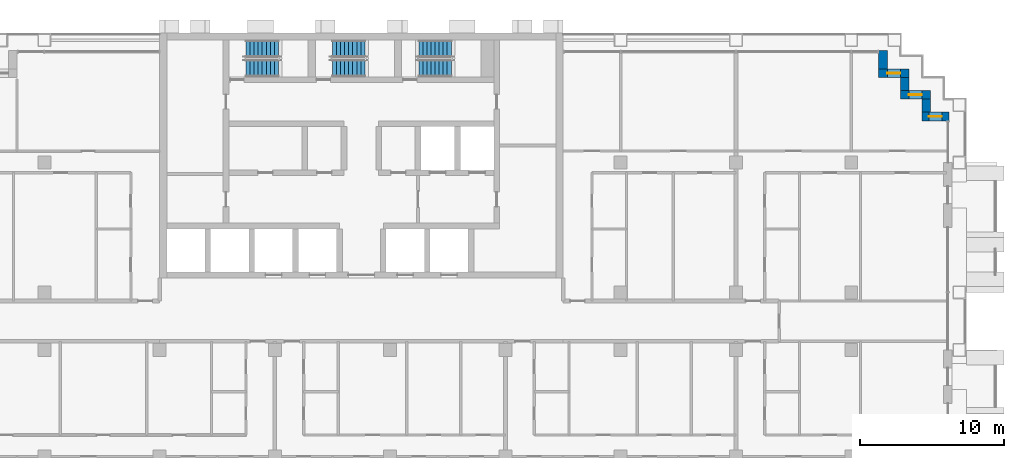
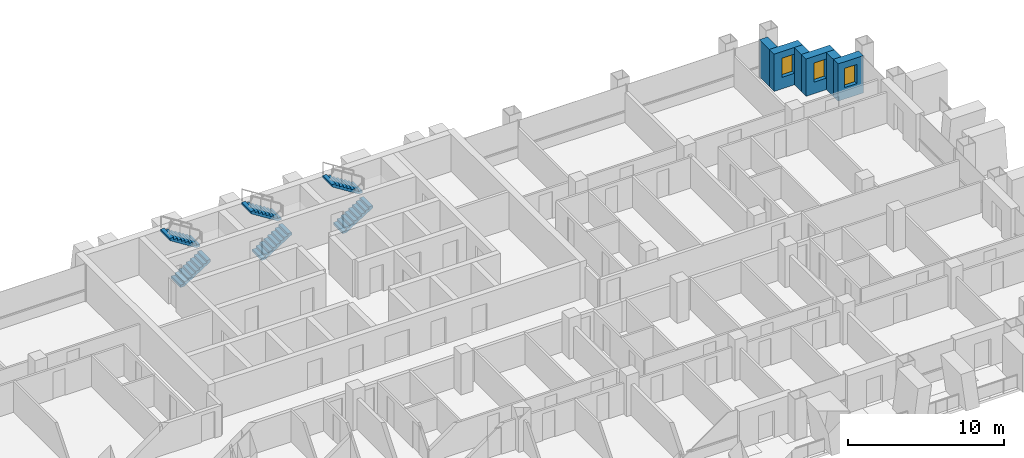
# One storey, part 13 of 17: 6 stair flights, 6 walls, 3 windows, 3 openings, 3 elements without a shape of their own.
"""IFC4 building model written with IfcOpenShell, lengths in metres."""

from ifc_helpers import new_model, si_unit, direction, frame, frame_2d, origin, place, context, subcontext, project, spatial, polyline, rectangle, outline, extrude, material, layer, layer_set, type_object, element, fill, aggregate, save


model = new_model("IFC4")

# Units and contexts
model_context = context("Model", 3, precision=1e-05, world=origin(), true_north=direction((0.0, 1.0)))
body_context = subcontext(model_context, "Body", "Model", "MODEL_VIEW")
ifc_project = project(units=[si_unit("LENGTHUNIT", "METRE"), si_unit("AREAUNIT", "SQUARE_METRE"), si_unit("VOLUMEUNIT", "CUBIC_METRE"), si_unit("PLANEANGLEUNIT", "RADIAN"), si_unit("MASSUNIT", "GRAM", prefix="KILO")], contexts=[model_context])

# Site, building, storey
site_placement = place(None, origin())
site = spatial("IfcSite", under=ifc_project, at=site_placement, CompositionType="ELEMENT")
building_placement = place(site_placement, origin())
building = spatial("IfcBuilding", under=site, at=building_placement, Name="Vidyagriha Tower", CompositionType="ELEMENT")
storey_placement = place(building_placement, frame((0.0, 0.0, 77.5)))
storey = spatial("IfcBuildingStorey", under=building, at=storey_placement, Name="L19", CompositionType="ELEMENT", Elevation=77.5)

# Wall, opening, window
ifc_material_1 = material(Name="Precast concrete C40/50 with brick facing", Category="concrete")
ifc_layer = layer(ifc_material_1, 0.60009765625)
ifc_layer_set = layer_set([ifc_layer], Name="Precast concrete C40/50 with brick facing")
wall_type = type_object("IfcWallType", Name="Brick-faced precast wall 600", PredefinedType="STANDARD", material=ifc_layer_set)
wall_1_placement = place(storey_placement, frame((40.780029296875, 14.199951171875, 0.0), z_axis=(0.0, 0.0, 1.0), x_axis=(-1.0, 0.0, 0.0)))
wall_1 = element("IfcWall", 1, at=wall_1_placement, inside=storey, type_object=wall_type, Name="Stepped corner wall L19 R01", PredefinedType="STANDARD", context=body_context, shape_type="SweptSolid", body=[
    extrude(rectangle(XDim=1.880126953125, YDim=0.60009765625, at=frame_2d((0.93994140625, 0.0))), origin(), (0.0, 0.0, 1.0), 2.919921875),
])
opening_1_placement = place(wall_1_placement, frame((0.489990234375, 0.0, 0.89990234375)))
opening_1 = element("IfcOpeningElement", 2, at=opening_1_placement, cuts=wall_1, Name="Opening WN1", PredefinedType="OPENING", context=body_context, shape_type="SweptSolid", body=[
    extrude(rectangle(XDim=0.89990234375, YDim=1.5, at=frame_2d((0.449951171875, 0.75))), frame((0.0, 0.31005859375, 0.0), z_axis=(0.0, -1.0, 0.0), x_axis=(1.0, 0.0, 0.0)), (0.0, 0.0, 1.0), 0.6201171875),
])
ifc_material_2 = material(Name="Aluminium and glass window", Category="aluminium")
window_type = type_object("IfcWindowType", Name="Reveal window 900x1500", PartitioningType="NOTDEFINED", PredefinedType="WINDOW", material=ifc_material_2)
window_1_placement = place(opening_1_placement, origin())
window_1 = element("IfcWindow", 3, at=window_1_placement, inside=storey, type_object=window_type, Name="Reveal window L19 R01", OverallHeight=1.5, OverallWidth=0.89990234375, PartitioningType="SINGLE_PANEL", PredefinedType="WINDOW", context=body_context, shape_type="SweptSolid", body=[
    extrude(rectangle(XDim=0.89990234375, YDim=1.5, at=frame_2d((0.449951171875, 0.75))), frame((0.0, 0.030029296875, 0.0), z_axis=(0.0, -1.0, 0.0), x_axis=(1.0, 0.0, 0.0)), (0.0, 0.0, 1.0), 0.06005859375),
])
fill(opening_1, window_1)

# Wall
wall_2_placement = place(storey_placement, frame((39.199951171875, 14.5, 0.0), z_axis=(0.0, 0.0, 1.0), x_axis=(0.0, 1.0, 0.0)))
element("IfcWall", 4, at=wall_2_placement, inside=storey, type_object=wall_type, Name="Stepped corner wall L19 R02", PredefinedType="STANDARD", context=body_context, shape_type="SweptSolid", body=[
    extrude(rectangle(XDim=0.89990234375, YDim=0.60009765625, at=frame_2d((0.449951171875, 0.0))), origin(), (0.0, 0.0, 1.0), 2.919921875),
])

# Wall, opening, window
wall_3_placement = place(storey_placement, frame((39.5, 15.699951171875, 0.0), z_axis=(0.0, 0.0, 1.0), x_axis=(-1.0, 0.0, 0.0)))
wall_3 = element("IfcWall", 5, at=wall_3_placement, inside=storey, type_object=wall_type, Name="Stepped corner wall L19 R03", PredefinedType="STANDARD", context=body_context, shape_type="SweptSolid", body=[
    extrude(rectangle(XDim=2.10009765625, YDim=0.60009765625, at=frame_2d((1.050048828125, 0.0))), origin(), (0.0, 0.0, 1.0), 2.919921875),
])
opening_2_placement = place(wall_3_placement, frame((0.60009765625, 0.0, 0.89990234375)))
opening_2 = element("IfcOpeningElement", 6, at=opening_2_placement, cuts=wall_3, Name="Opening WN1", PredefinedType="OPENING", context=body_context, shape_type="SweptSolid", body=[
    extrude(rectangle(XDim=0.89990234375, YDim=1.5, at=frame_2d((0.449951171875, 0.75))), frame((0.0, 0.31005859375, 0.0), z_axis=(0.0, -1.0, 0.0), x_axis=(1.0, 0.0, 0.0)), (0.0, 0.0, 1.0), 0.6201171875),
])
window_2_placement = place(opening_2_placement, origin())
window_2 = element("IfcWindow", 7, at=window_2_placement, inside=storey, type_object=window_type, Name="Reveal window L19 R03", OverallHeight=1.5, OverallWidth=0.89990234375, PartitioningType="SINGLE_PANEL", PredefinedType="WINDOW", context=body_context, shape_type="SweptSolid", body=[
    extrude(rectangle(XDim=0.89990234375, YDim=1.5, at=frame_2d((0.449951171875, 0.75))), frame((0.0, 0.030029296875, 0.0), z_axis=(0.0, -1.0, 0.0), x_axis=(1.0, 0.0, 0.0)), (0.0, 0.0, 1.0), 0.06005859375),
])
fill(opening_2, window_2)

# Wall
wall_4_placement = place(storey_placement, frame((37.699951171875, 16.0, 0.0), z_axis=(0.0, 0.0, 1.0), x_axis=(0.0, 1.0, 0.0)))
element("IfcWall", 8, at=wall_4_placement, inside=storey, type_object=wall_type, Name="Stepped corner wall L19 R04", PredefinedType="STANDARD", context=body_context, shape_type="SweptSolid", body=[
    extrude(rectangle(XDim=0.89990234375, YDim=0.60009765625, at=frame_2d((0.449951171875, 0.0))), origin(), (0.0, 0.0, 1.0), 2.919921875),
])

# Wall, opening, window
wall_5_placement = place(storey_placement, frame((38.0, 17.199951171875, 0.0), z_axis=(0.0, 0.0, 1.0), x_axis=(-1.0, 0.0, 0.0)))
wall_5 = element("IfcWall", 9, at=wall_5_placement, inside=storey, type_object=wall_type, Name="Stepped corner wall L19 R05", PredefinedType="STANDARD", context=body_context, shape_type="SweptSolid", body=[
    extrude(rectangle(XDim=2.10009765625, YDim=0.60009765625, at=frame_2d((1.050048828125, 0.0))), origin(), (0.0, 0.0, 1.0), 2.919921875),
])
opening_3_placement = place(wall_5_placement, frame((0.60009765625, 0.0, 0.89990234375)))
opening_3 = element("IfcOpeningElement", 10, at=opening_3_placement, cuts=wall_5, Name="Opening WN1", PredefinedType="OPENING", context=body_context, shape_type="SweptSolid", body=[
    extrude(rectangle(XDim=0.89990234375, YDim=1.5, at=frame_2d((0.449951171875, 0.75))), frame((0.0, 0.31005859375, 0.0), z_axis=(0.0, -1.0, 0.0), x_axis=(1.0, 0.0, 0.0)), (0.0, 0.0, 1.0), 0.6201171875),
])
window_3_placement = place(opening_3_placement, origin())
window_3 = element("IfcWindow", 11, at=window_3_placement, inside=storey, type_object=window_type, Name="Reveal window L19 R05", OverallHeight=1.5, OverallWidth=0.89990234375, PartitioningType="SINGLE_PANEL", PredefinedType="WINDOW", context=body_context, shape_type="SweptSolid", body=[
    extrude(rectangle(XDim=0.89990234375, YDim=1.5, at=frame_2d((0.449951171875, 0.75))), frame((0.0, 0.030029296875, 0.0), z_axis=(0.0, -1.0, 0.0), x_axis=(1.0, 0.0, 0.0)), (0.0, 0.0, 1.0), 0.06005859375),
])
fill(opening_3, window_3)

# Wall
wall_6_placement = place(storey_placement, frame((36.199951171875, 17.5, 0.0), z_axis=(0.0, 0.0, 1.0), x_axis=(0.0, 1.0, 0.0)))
element("IfcWall", 12, at=wall_6_placement, inside=storey, type_object=wall_type, Name="Stepped corner wall L19 R06", PredefinedType="STANDARD", context=body_context, shape_type="SweptSolid", body=[
    extrude(rectangle(XDim=1.280029296875, YDim=0.60009765625, at=frame_2d((0.64013671875, 0.0))), origin(), (0.0, 0.0, 1.0), 2.919921875),
])

# Stair, stair flights
ifc_material_3 = material(Name="Concrete C40/50", Category="concrete")
stair_type = type_object("IfcStairType", Name="Exit stair, half-turn, precast flights", PredefinedType="HALF_TURN_STAIR", material=ifc_material_3)
stair_1_placement = place(storey_placement, origin())
stair_1 = element("IfcStair", 13, at=stair_1_placement, inside=storey, type_object=stair_type, Name="L19 Exit Stair ST1", PredefinedType="HALF_TURN_STAIR")
ifc_material_4 = material(Name="Precast concrete C40/50", Category="concrete")
stair_flight_type = type_object("IfcStairFlightType", Name="Exit stair flight 1200 mm, precast", PredefinedType="STRAIGHT", material=ifc_material_4)
stair_flight_1_placement = place(storey_placement, frame((-8.0, 17.550048828125, 0.0)))
stair_flight_1 = element("IfcStairFlight", 14, at=stair_flight_1_placement, type_object=stair_flight_type, Name="ST1 flight 1", NumberOfRisers=9, NumberOfTreads=8, PredefinedType="STRAIGHT", RiserHeight=0.177777778, TreadLength=0.28, context=body_context, shape_type="SweptSolid", body=[
    extrude(outline(polyline([(0.0, 0.0), (0.0, 0.177734375), (0.280029296875, 0.177734375), (0.280029296875, 0.35546875), (0.56005859375, 0.35546875), (0.56005859375, 0.533447265625), (0.840087890625, 0.533447265625), (0.840087890625, 0.711181640625), (1.1201171875, 0.711181640625), (1.1201171875, 0.888916015625), (1.39990234375, 0.888916015625), (1.39990234375, 1.066650390625), (1.679931640625, 1.066650390625), (1.679931640625, 1.244384765625), (1.9599609375, 1.244384765625), (1.9599609375, 1.422119140625), (2.239990234375, 1.422119140625), (2.239990234375, 1.60009765625), (2.239990234375, 1.24462890625), (0.27978515625, 0.0), (0.0, 0.0)])), frame((0.0, 0.60009765625, 0.0), z_axis=(0.0, -1.0, 0.0), x_axis=(1.0, 0.0, 0.0)), (0.0, 0.0, 1.0), 1.199951171875),
])
stair_flight_2_placement = place(storey_placement, frame((-5.760009765625, 18.89990234375, 1.60009765625), z_axis=(0.0, 0.0, 1.0), x_axis=(-1.0, 0.0, 0.0)))
stair_flight_2 = element("IfcStairFlight", 15, at=stair_flight_2_placement, type_object=stair_flight_type, Name="ST1 flight 2", NumberOfRisers=9, NumberOfTreads=8, PredefinedType="STRAIGHT", RiserHeight=0.177777778, TreadLength=0.28, context=body_context, shape_type="SweptSolid", body=[
    extrude(outline(polyline([(0.0, 0.0), (0.0, 0.177734375), (0.280029296875, 0.177734375), (0.280029296875, 0.35546875), (0.56005859375, 0.35546875), (0.56005859375, 0.533447265625), (0.840087890625, 0.533447265625), (0.840087890625, 0.711181640625), (1.1201171875, 0.711181640625), (1.1201171875, 0.888916015625), (1.39990234375, 0.888916015625), (1.39990234375, 1.066650390625), (1.679931640625, 1.066650390625), (1.679931640625, 1.244384765625), (1.9599609375, 1.244384765625), (1.9599609375, 1.422119140625), (2.239990234375, 1.422119140625), (2.239990234375, 1.60009765625), (2.239990234375, 1.24462890625), (0.27978515625, 0.0), (0.0, 0.0)])), frame((0.0, 0.60009765625, 0.0), z_axis=(0.0, -1.0, 0.0), x_axis=(1.0, 0.0, 0.0)), (0.0, 0.0, 1.0), 1.199951171875),
])
aggregate(stair_1, [stair_flight_1, stair_flight_2])

stair_2_placement = place(storey_placement, origin())
stair_2 = element("IfcStair", 16, at=stair_2_placement, inside=storey, type_object=stair_type, Name="L19 Exit Stair ST2", PredefinedType="HALF_TURN_STAIR")
stair_flight_3_placement = place(storey_placement, frame((-2.0, 17.550048828125, 0.0)))
stair_flight_3 = element("IfcStairFlight", 17, at=stair_flight_3_placement, type_object=stair_flight_type, Name="ST2 flight 1", NumberOfRisers=9, NumberOfTreads=8, PredefinedType="STRAIGHT", RiserHeight=0.177777778, TreadLength=0.28, context=body_context, shape_type="SweptSolid", body=[
    extrude(outline(polyline([(0.0, 0.0), (0.0, 0.177734375), (0.280029296875, 0.177734375), (0.280029296875, 0.35546875), (0.56005859375, 0.35546875), (0.56005859375, 0.533447265625), (0.840087890625, 0.533447265625), (0.840087890625, 0.711181640625), (1.1201171875, 0.711181640625), (1.1201171875, 0.888916015625), (1.39990234375, 0.888916015625), (1.39990234375, 1.066650390625), (1.679931640625, 1.066650390625), (1.679931640625, 1.244384765625), (1.9599609375, 1.244384765625), (1.9599609375, 1.422119140625), (2.239990234375, 1.422119140625), (2.239990234375, 1.60009765625), (2.239990234375, 1.24462890625), (0.27978515625, 0.0), (0.0, 0.0)])), frame((0.0, 0.60009765625, 0.0), z_axis=(0.0, -1.0, 0.0), x_axis=(1.0, 0.0, 0.0)), (0.0, 0.0, 1.0), 1.199951171875),
])
stair_flight_4_placement = place(storey_placement, frame((0.239990234375, 18.89990234375, 1.60009765625), z_axis=(0.0, 0.0, 1.0), x_axis=(-1.0, 0.0, 0.0)))
stair_flight_4 = element("IfcStairFlight", 18, at=stair_flight_4_placement, type_object=stair_flight_type, Name="ST2 flight 2", NumberOfRisers=9, NumberOfTreads=8, PredefinedType="STRAIGHT", RiserHeight=0.177777778, TreadLength=0.28, context=body_context, shape_type="SweptSolid", body=[
    extrude(outline(polyline([(0.0, 0.0), (0.0, 0.177734375), (0.280029296875, 0.177734375), (0.280029296875, 0.35546875), (0.56005859375, 0.35546875), (0.56005859375, 0.533447265625), (0.840087890625, 0.533447265625), (0.840087890625, 0.711181640625), (1.1201171875, 0.711181640625), (1.1201171875, 0.888916015625), (1.39990234375, 0.888916015625), (1.39990234375, 1.066650390625), (1.679931640625, 1.066650390625), (1.679931640625, 1.244384765625), (1.9599609375, 1.244384765625), (1.9599609375, 1.422119140625), (2.239990234375, 1.422119140625), (2.239990234375, 1.60009765625), (2.239990234375, 1.24462890625), (0.27978515625, 0.0), (0.0, 0.0)])), frame((0.0, 0.60009765625, 0.0), z_axis=(0.0, -1.0, 0.0), x_axis=(1.0, 0.0, 0.0)), (0.0, 0.0, 1.0), 1.199951171875),
])
aggregate(stair_2, [stair_flight_3, stair_flight_4])

stair_3_placement = place(storey_placement, origin())
stair_3 = element("IfcStair", 19, at=stair_3_placement, inside=storey, type_object=stair_type, Name="L19 Exit Stair ST3", PredefinedType="HALF_TURN_STAIR")
stair_flight_5_placement = place(storey_placement, frame((4.0, 17.550048828125, 0.0)))
stair_flight_5 = element("IfcStairFlight", 20, at=stair_flight_5_placement, type_object=stair_flight_type, Name="ST3 flight 1", NumberOfRisers=9, NumberOfTreads=8, PredefinedType="STRAIGHT", RiserHeight=0.177777778, TreadLength=0.28, context=body_context, shape_type="SweptSolid", body=[
    extrude(outline(polyline([(0.0, 0.0), (0.0, 0.177734375), (0.280029296875, 0.177734375), (0.280029296875, 0.35546875), (0.56005859375, 0.35546875), (0.56005859375, 0.533447265625), (0.840087890625, 0.533447265625), (0.840087890625, 0.711181640625), (1.1201171875, 0.711181640625), (1.1201171875, 0.888916015625), (1.39990234375, 0.888916015625), (1.39990234375, 1.066650390625), (1.679931640625, 1.066650390625), (1.679931640625, 1.244384765625), (1.9599609375, 1.244384765625), (1.9599609375, 1.422119140625), (2.239990234375, 1.422119140625), (2.239990234375, 1.60009765625), (2.239990234375, 1.24462890625), (0.27978515625, 0.0), (0.0, 0.0)])), frame((0.0, 0.60009765625, 0.0), z_axis=(0.0, -1.0, 0.0), x_axis=(1.0, 0.0, 0.0)), (0.0, 0.0, 1.0), 1.199951171875),
])
stair_flight_6_placement = place(storey_placement, frame((6.239990234375, 18.89990234375, 1.60009765625), z_axis=(0.0, 0.0, 1.0), x_axis=(-1.0, 0.0, 0.0)))
stair_flight_6 = element("IfcStairFlight", 21, at=stair_flight_6_placement, type_object=stair_flight_type, Name="ST3 flight 2", NumberOfRisers=9, NumberOfTreads=8, PredefinedType="STRAIGHT", RiserHeight=0.177777778, TreadLength=0.28, context=body_context, shape_type="SweptSolid", body=[
    extrude(outline(polyline([(0.0, 0.0), (0.0, 0.177734375), (0.280029296875, 0.177734375), (0.280029296875, 0.35546875), (0.56005859375, 0.35546875), (0.56005859375, 0.533447265625), (0.840087890625, 0.533447265625), (0.840087890625, 0.711181640625), (1.1201171875, 0.711181640625), (1.1201171875, 0.888916015625), (1.39990234375, 0.888916015625), (1.39990234375, 1.066650390625), (1.679931640625, 1.066650390625), (1.679931640625, 1.244384765625), (1.9599609375, 1.244384765625), (1.9599609375, 1.422119140625), (2.239990234375, 1.422119140625), (2.239990234375, 1.60009765625), (2.239990234375, 1.24462890625), (0.27978515625, 0.0), (0.0, 0.0)])), frame((0.0, 0.60009765625, 0.0), z_axis=(0.0, -1.0, 0.0), x_axis=(1.0, 0.0, 0.0)), (0.0, 0.0, 1.0), 1.199951171875),
])
aggregate(stair_3, [stair_flight_5, stair_flight_6])

save(model, "model.ifc")
